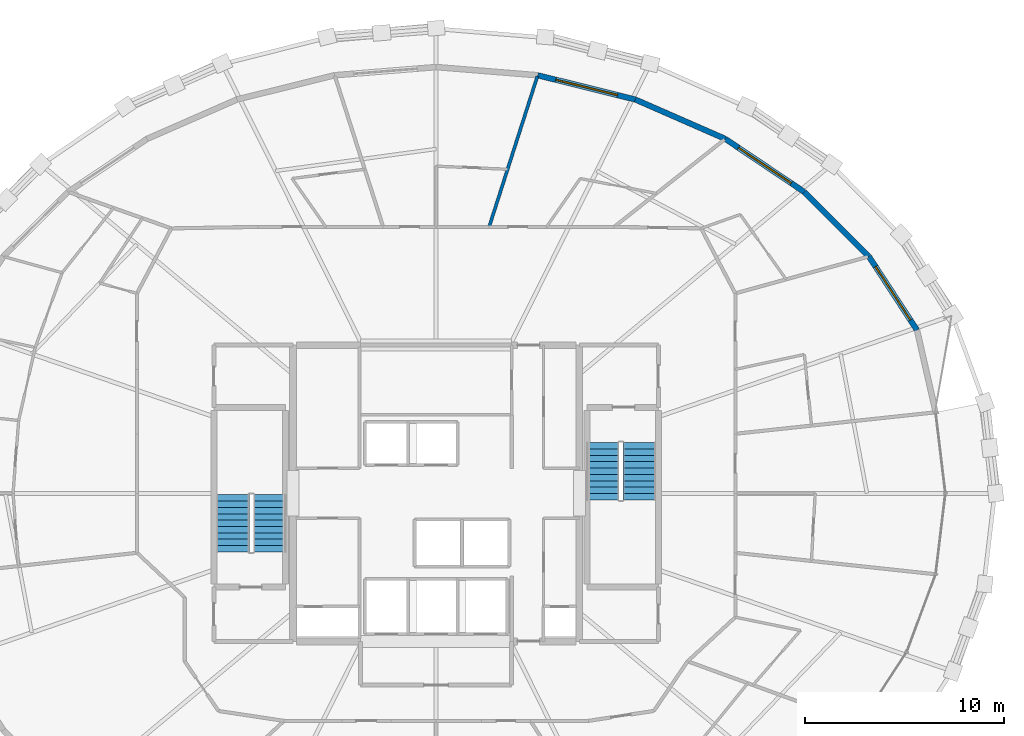
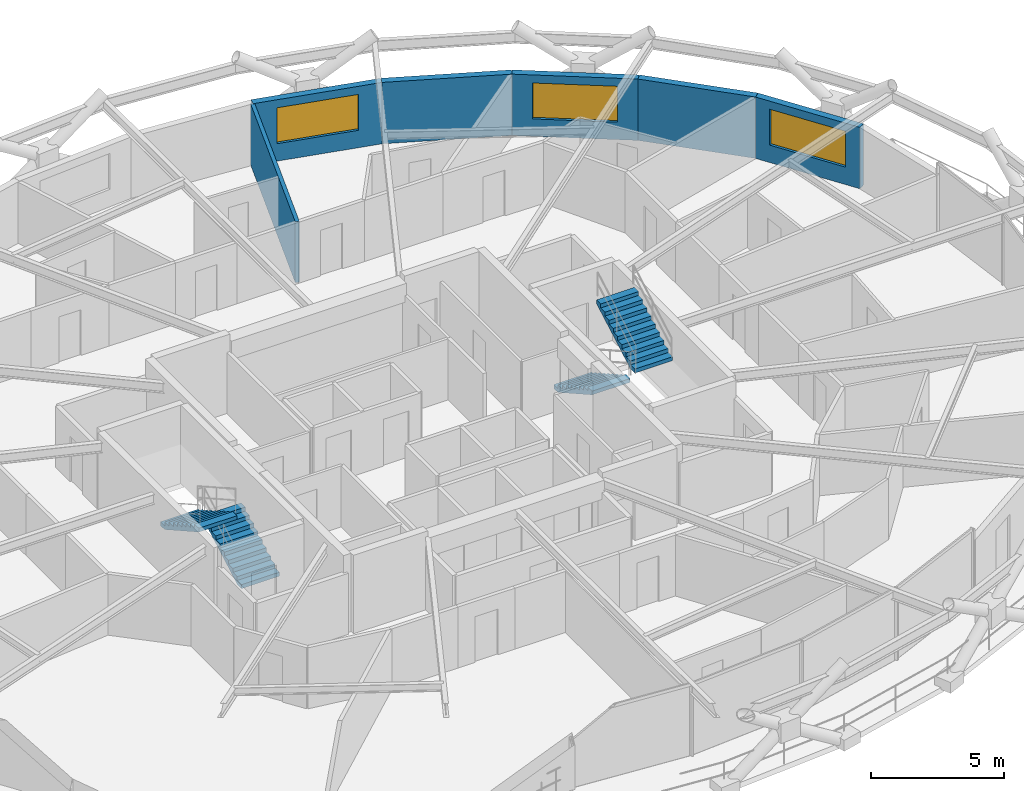
# One storey, part 18 of 19: 6 walls, 4 stair flights, 3 windows, 3 openings, 2 elements without a shape of their own.
"""IFC4 building model written with IfcOpenShell, lengths in metres."""

from ifc_helpers import new_model, si_unit, direction, frame, frame_2d, origin, place, context, subcontext, project, spatial, polyline, rectangle, outline, extrude, material, layer, layer_set, type_object, element, fill, aggregate, save


model = new_model("IFC4")

# Units and contexts
model_context = context("Model", 3, precision=1e-05, world=origin(), true_north=direction((0.0, 1.0)))
body_context = subcontext(model_context, "Body", "Model", "MODEL_VIEW")
ifc_project = project(units=[si_unit("LENGTHUNIT", "METRE"), si_unit("AREAUNIT", "SQUARE_METRE"), si_unit("VOLUMEUNIT", "CUBIC_METRE"), si_unit("PLANEANGLEUNIT", "RADIAN"), si_unit("MASSUNIT", "GRAM", prefix="KILO")], contexts=[model_context])

# Site, building, storey
site_placement = place(None, origin())
site = spatial("IfcSite", under=ifc_project, at=site_placement, CompositionType="ELEMENT")
building_placement = place(site_placement, origin())
building = spatial("IfcBuilding", under=site, at=building_placement, Name="Veldorina Hangang Commons", CompositionType="ELEMENT")
storey_placement = place(building_placement, frame((0.0, 0.0, 164.0)))
storey = spatial("IfcBuildingStorey", under=building, at=storey_placement, Name="L42", CompositionType="ELEMENT", Elevation=164.0)

# Wall, opening, window
ifc_material_1 = material(Name="Stone Roman Travertine", Category="masonry")
ifc_layer_1 = layer(ifc_material_1, 0.280029296875)
ifc_layer_set_1 = layer_set([ifc_layer_1], Name="Stone Roman Travertine")
wall_type_1 = type_object("IfcWallType", Name="EW-TRAV-280", PredefinedType="STANDARD", material=ifc_layer_set_1)
wall_1_placement = place(storey_placement, frame((56.189208984375, 32.20458984375, 0.0), z_axis=(0.0, 0.0, 1.0), x_axis=(-0.546604237051, 0.837391072342, 0.0)))
wall_1 = element("IfcWall", 1, at=wall_1_placement, inside=storey, type_object=wall_type_1, Name="L42 travertine facade wall 02", PredefinedType="STANDARD", context=body_context, shape_type="SweptSolid", body=[
    extrude(rectangle(XDim=4.42626953125, YDim=0.280029296875, at=frame_2d((2.213134765625, 0.0))), origin(), (0.0, 0.0, 1.0), 2.820068359375),
])
opening_1_placement = place(wall_1_placement, frame((0.61328125, 0.0, 0.800048828125)))
opening_1 = element("IfcOpeningElement", 2, at=opening_1_placement, cuts=wall_1, Name="Opening W-01", PredefinedType="OPENING", context=body_context, shape_type="SweptSolid", body=[
    extrude(rectangle(XDim=3.199951171875, YDim=1.64990234375, at=frame_2d((1.60009765625, 0.824951171875))), frame((0.0, 0.14990234375, 0.0), z_axis=(0.0, -1.0, 0.0), x_axis=(1.0, 0.0, 0.0)), (0.0, 0.0, 1.0), 0.300048828125),
])
ifc_material_2 = material(Name="Glass Low-E Triple IGU", Category="glass")
window_type = type_object("IfcWindowType", Name="WIN-TWR-3200", PartitioningType="SINGLE_PANEL", PredefinedType="WINDOW", material=ifc_material_2)
window_1_placement = place(opening_1_placement, origin())
window_1 = element("IfcWindow", 3, at=window_1_placement, inside=storey, type_object=window_type, Name="L42 facade window 02", OverallHeight=1.64990234375, OverallWidth=3.199951171875, PartitioningType="SINGLE_PANEL", PredefinedType="WINDOW", context=body_context, shape_type="SweptSolid", body=[
    extrude(rectangle(XDim=3.199951171875, YDim=1.64990234375, at=frame_2d((1.60009765625, 0.824951171875))), frame((0.0, 0.030029296875, 0.0), z_axis=(0.0, -1.0, 0.0), x_axis=(1.0, 0.0, 0.0)), (0.0, 0.0, 1.0), 0.06005859375),
])
fill(opening_1, window_1)

# Wall
wall_2_placement = place(storey_placement, frame((53.769775390625, 35.9111328125, 0.0), z_axis=(0.0, 0.0, 1.0), x_axis=(-0.70790250433, 0.706310161589, 0.0)))
element("IfcWall", 4, at=wall_2_placement, inside=storey, type_object=wall_type_1, Name="L42 travertine facade wall 03", PredefinedType="STANDARD", context=body_context, shape_type="SweptSolid", body=[
    extrude(rectangle(XDim=4.599609375, YDim=0.280029296875, at=frame_2d((2.2998046875, 0.0))), origin(), (0.0, 0.0, 1.0), 2.820068359375),
])

# Wall, opening, window
wall_3_placement = place(storey_placement, frame((50.513671875, 39.159912109375, 0.0), z_axis=(0.0, 0.0, 1.0), x_axis=(-0.829970169982, 0.55780777777, 0.0)))
wall_3 = element("IfcWall", 5, at=wall_3_placement, inside=storey, type_object=wall_type_1, Name="L42 travertine facade wall 04", PredefinedType="STANDARD", context=body_context, shape_type="SweptSolid", body=[
    extrude(rectangle(XDim=4.7802734375, YDim=0.280029296875, at=frame_2d((2.39013671875, 0.0))), origin(), (0.0, 0.0, 1.0), 2.820068359375),
])
opening_2_placement = place(wall_3_placement, frame((0.7900390625, 0.0, 0.800048828125)))
opening_2 = element("IfcOpeningElement", 6, at=opening_2_placement, cuts=wall_3, Name="Opening W-01", PredefinedType="OPENING", context=body_context, shape_type="SweptSolid", body=[
    extrude(rectangle(XDim=3.199951171875, YDim=1.64990234375, at=frame_2d((1.60009765625, 0.824951171875))), frame((0.0, 0.14990234375, 0.0), z_axis=(0.0, -1.0, 0.0), x_axis=(1.0, 0.0, 0.0)), (0.0, 0.0, 1.0), 0.300048828125),
])
window_2_placement = place(opening_2_placement, origin())
window_2 = element("IfcWindow", 7, at=window_2_placement, inside=storey, type_object=window_type, Name="L42 facade window 04", OverallHeight=1.64990234375, OverallWidth=3.199951171875, PartitioningType="SINGLE_PANEL", PredefinedType="WINDOW", context=body_context, shape_type="SweptSolid", body=[
    extrude(rectangle(XDim=3.199951171875, YDim=1.64990234375, at=frame_2d((1.60009765625, 0.824951171875))), frame((0.0, 0.030029296875, 0.0), z_axis=(0.0, -1.0, 0.0), x_axis=(1.0, 0.0, 0.0)), (0.0, 0.0, 1.0), 0.06005859375),
])
fill(opening_2, window_2)

# Wall
wall_4_placement = place(storey_placement, frame((46.546142578125, 41.826416015625, 0.0), z_axis=(0.0, 0.0, 1.0), x_axis=(-0.916097223494, 0.400956203476, 0.0)))
element("IfcWall", 8, at=wall_4_placement, inside=storey, type_object=wall_type_1, Name="L42 travertine facade wall 05", PredefinedType="STANDARD", context=body_context, shape_type="SweptSolid", body=[
    extrude(rectangle(XDim=4.941162109375, YDim=0.280029296875, at=frame_2d((2.470703125, 0.0))), origin(), (0.0, 0.0, 1.0), 2.820068359375),
])

# Wall, opening, window
wall_5_placement = place(storey_placement, frame((42.01953125, 43.8076171875, 0.0), z_axis=(0.0, 0.0, 1.0), x_axis=(-0.970510278879, 0.241059740708, 0.0)))
wall_5 = element("IfcWall", 9, at=wall_5_placement, inside=storey, type_object=wall_type_1, Name="L42 travertine facade wall 06", PredefinedType="STANDARD", context=body_context, shape_type="SweptSolid", body=[
    extrude(rectangle(XDim=5.060791015625, YDim=0.280029296875, at=frame_2d((2.5302734375, 0.0))), origin(), (0.0, 0.0, 1.0), 2.820068359375),
])
opening_3_placement = place(wall_5_placement, frame((0.930419921875, 0.0, 0.800048828125)))
opening_3 = element("IfcOpeningElement", 10, at=opening_3_placement, cuts=wall_5, Name="Opening W-01", PredefinedType="OPENING", context=body_context, shape_type="SweptSolid", body=[
    extrude(rectangle(XDim=3.199951171875, YDim=1.64990234375, at=frame_2d((1.60009765625, 0.824951171875))), frame((0.0, 0.14990234375, 0.0), z_axis=(0.0, -1.0, 0.0), x_axis=(1.0, 0.0, 0.0)), (0.0, 0.0, 1.0), 0.300048828125),
])
window_3_placement = place(opening_3_placement, origin())
window_3 = element("IfcWindow", 11, at=window_3_placement, inside=storey, type_object=window_type, Name="L42 facade window 06", OverallHeight=1.64990234375, OverallWidth=3.199951171875, PartitioningType="SINGLE_PANEL", PredefinedType="WINDOW", context=body_context, shape_type="SweptSolid", body=[
    extrude(rectangle(XDim=3.199951171875, YDim=1.64990234375, at=frame_2d((1.60009765625, 0.824951171875))), frame((0.0, 0.030029296875, 0.0), z_axis=(0.0, -1.0, 0.0), x_axis=(1.0, 0.0, 0.0)), (0.0, 0.0, 1.0), 0.06005859375),
])
fill(opening_3, window_3)

# Wall
ifc_material_3 = material(Name="Gypsum Fire-Rated Twin Stud Wall", Category="gypsum")
ifc_layer_2 = layer(ifc_material_3, 0.159912109375)
ifc_layer_set_2 = layer_set([ifc_layer_2], Name="Gypsum Fire-Rated Twin Stud Wall")
wall_type_2 = type_object("IfcWallType", Name="WL-FIRE-160", PredefinedType="SOLIDWALL", material=ifc_layer_set_2)
wall_6_placement = place(storey_placement, frame((34.665283203125, 37.39990234375, 0.0), z_axis=(0.0, 0.0, 1.0), x_axis=(0.304988298283, 0.952356098269, 0.0)))
element("IfcWall", 12, at=wall_6_placement, inside=storey, type_object=wall_type_2, Name="L42 Unit party wall 07 095", PredefinedType="SOLIDWALL", context=body_context, shape_type="SweptSolid", body=[
    extrude(rectangle(XDim=7.959228515625, YDim=0.159912109375, at=frame_2d((3.9794921875, 0.0))), origin(), (0.0, 0.0, 1.0), 2.800048828125),
])

# Stair, stair flights
ifc_material_4 = material(Name="Concrete C40/50", Category="concrete")
stair_type = type_object("IfcStairType", Name="STR-DOG-1650-20R", PredefinedType="HALF_TURN_STAIR", material=ifc_material_4)
stair_1_placement = place(storey_placement, origin())
stair_1 = element("IfcStair", 13, at=stair_1_placement, inside=storey, type_object=stair_type, Name="L42 Exit stair ST-1", PredefinedType="HALF_TURN_STAIR")
stair_flight_type = type_object("IfcStairFlightType", Name="SFL-STR-1650-20R", PredefinedType="STRAIGHT", material=ifc_material_4)
stair_flight_1_placement = place(storey_placement, frame((23.625, 21.050048828125, 0.0), z_axis=(0.0, 0.0, 1.0), x_axis=(0.0, 1.0, 0.0)))
stair_flight_1 = element("IfcStairFlight", 14, at=stair_flight_1_placement, type_object=stair_flight_type, Name="ST-1 flight 1", NumberOfRisers=10, NumberOfTreads=9, PredefinedType="STRAIGHT", RiserHeight=0.18, TreadLength=0.32, context=body_context, shape_type="SweptSolid", body=[
    extrude(outline(polyline([(0.0, 0.0), (0.0, 0.179931640625), (0.320068359375, 0.179931640625), (0.320068359375, 0.360107421875), (0.639892578125, 0.360107421875), (0.639892578125, 0.5400390625), (0.9599609375, 0.5400390625), (0.9599609375, 0.719970703125), (1.280029296875, 0.719970703125), (1.280029296875, 0.89990234375), (1.60009765625, 0.89990234375), (1.60009765625, 1.080078125), (1.919921875, 1.080078125), (1.919921875, 1.260009765625), (2.239990234375, 1.260009765625), (2.239990234375, 1.43994140625), (2.56005859375, 1.43994140625), (2.56005859375, 1.6201171875), (2.8798828125, 1.6201171875), (2.8798828125, 1.800048828125), (2.8798828125, 1.447998046875), (0.3056640625, 0.0), (0.0, 0.0)])), frame((0.0, 0.824951171875, 0.0), z_axis=(0.0, -1.0, 0.0), x_axis=(1.0, 0.0, 0.0)), (0.0, 0.0, 1.0), 1.64990234375),
])
stair_flight_2_placement = place(storey_placement, frame((21.77490234375, 23.929931640625, 1.800048828125), z_axis=(0.0, 0.0, 1.0), x_axis=(0.0, -1.0, 0.0)))
stair_flight_2 = element("IfcStairFlight", 15, at=stair_flight_2_placement, type_object=stair_flight_type, Name="ST-1 flight 2", NumberOfRisers=10, NumberOfTreads=9, PredefinedType="STRAIGHT", RiserHeight=0.18, TreadLength=0.32, context=body_context, shape_type="SweptSolid", body=[
    extrude(outline(polyline([(0.0, 0.0), (0.0, 0.179931640625), (0.320068359375, 0.179931640625), (0.320068359375, 0.360107421875), (0.639892578125, 0.360107421875), (0.639892578125, 0.5400390625), (0.9599609375, 0.5400390625), (0.9599609375, 0.719970703125), (1.280029296875, 0.719970703125), (1.280029296875, 0.89990234375), (1.60009765625, 0.89990234375), (1.60009765625, 1.080078125), (1.919921875, 1.080078125), (1.919921875, 1.260009765625), (2.239990234375, 1.260009765625), (2.239990234375, 1.43994140625), (2.56005859375, 1.43994140625), (2.56005859375, 1.6201171875), (2.8798828125, 1.6201171875), (2.8798828125, 1.800048828125), (2.8798828125, 1.447998046875), (0.3056640625, 0.0), (0.0, 0.0)])), frame((0.0, 0.824951171875, 0.0), z_axis=(0.0, -1.0, 0.0), x_axis=(1.0, 0.0, 0.0)), (0.0, 0.0, 1.0), 1.64990234375),
])
aggregate(stair_1, [stair_flight_1, stair_flight_2])

stair_2_placement = place(storey_placement, origin())
stair_2 = element("IfcStair", 16, at=stair_2_placement, inside=storey, type_object=stair_type, Name="L42 Exit stair ST-2", PredefinedType="HALF_TURN_STAIR")
stair_flight_3_placement = place(storey_placement, frame((40.375, 26.550048828125, 0.0), z_axis=(0.0, 0.0, 1.0), x_axis=(0.0, -1.0, 0.0)))
stair_flight_3 = element("IfcStairFlight", 17, at=stair_flight_3_placement, type_object=stair_flight_type, Name="ST-2 flight 1", NumberOfRisers=10, NumberOfTreads=9, PredefinedType="STRAIGHT", RiserHeight=0.18, TreadLength=0.32, context=body_context, shape_type="SweptSolid", body=[
    extrude(outline(polyline([(0.0, 0.0), (0.0, 0.179931640625), (0.320068359375, 0.179931640625), (0.320068359375, 0.360107421875), (0.639892578125, 0.360107421875), (0.639892578125, 0.5400390625), (0.9599609375, 0.5400390625), (0.9599609375, 0.719970703125), (1.280029296875, 0.719970703125), (1.280029296875, 0.89990234375), (1.60009765625, 0.89990234375), (1.60009765625, 1.080078125), (1.919921875, 1.080078125), (1.919921875, 1.260009765625), (2.239990234375, 1.260009765625), (2.239990234375, 1.43994140625), (2.56005859375, 1.43994140625), (2.56005859375, 1.6201171875), (2.8798828125, 1.6201171875), (2.8798828125, 1.800048828125), (2.8798828125, 1.447998046875), (0.3056640625, 0.0), (0.0, 0.0)])), frame((0.0, 0.824951171875, 0.0), z_axis=(0.0, -1.0, 0.0), x_axis=(1.0, 0.0, 0.0)), (0.0, 0.0, 1.0), 1.64990234375),
])
stair_flight_4_placement = place(storey_placement, frame((42.22509765625, 23.669921875, 1.800048828125), z_axis=(0.0, 0.0, 1.0), x_axis=(0.0, 1.0, 0.0)))
stair_flight_4 = element("IfcStairFlight", 18, at=stair_flight_4_placement, type_object=stair_flight_type, Name="ST-2 flight 2", NumberOfRisers=10, NumberOfTreads=9, PredefinedType="STRAIGHT", RiserHeight=0.18, TreadLength=0.32, context=body_context, shape_type="SweptSolid", body=[
    extrude(outline(polyline([(0.0, 0.0), (0.0, 0.179931640625), (0.320068359375, 0.179931640625), (0.320068359375, 0.360107421875), (0.639892578125, 0.360107421875), (0.639892578125, 0.5400390625), (0.9599609375, 0.5400390625), (0.9599609375, 0.719970703125), (1.280029296875, 0.719970703125), (1.280029296875, 0.89990234375), (1.60009765625, 0.89990234375), (1.60009765625, 1.080078125), (1.919921875, 1.080078125), (1.919921875, 1.260009765625), (2.239990234375, 1.260009765625), (2.239990234375, 1.43994140625), (2.56005859375, 1.43994140625), (2.56005859375, 1.6201171875), (2.8798828125, 1.6201171875), (2.8798828125, 1.800048828125), (2.8798828125, 1.447998046875), (0.3056640625, 0.0), (0.0, 0.0)])), frame((0.0, 0.824951171875, 0.0), z_axis=(0.0, -1.0, 0.0), x_axis=(1.0, 0.0, 0.0)), (0.0, 0.0, 1.0), 1.64990234375),
])
aggregate(stair_2, [stair_flight_3, stair_flight_4])

save(model, "model.ifc")
